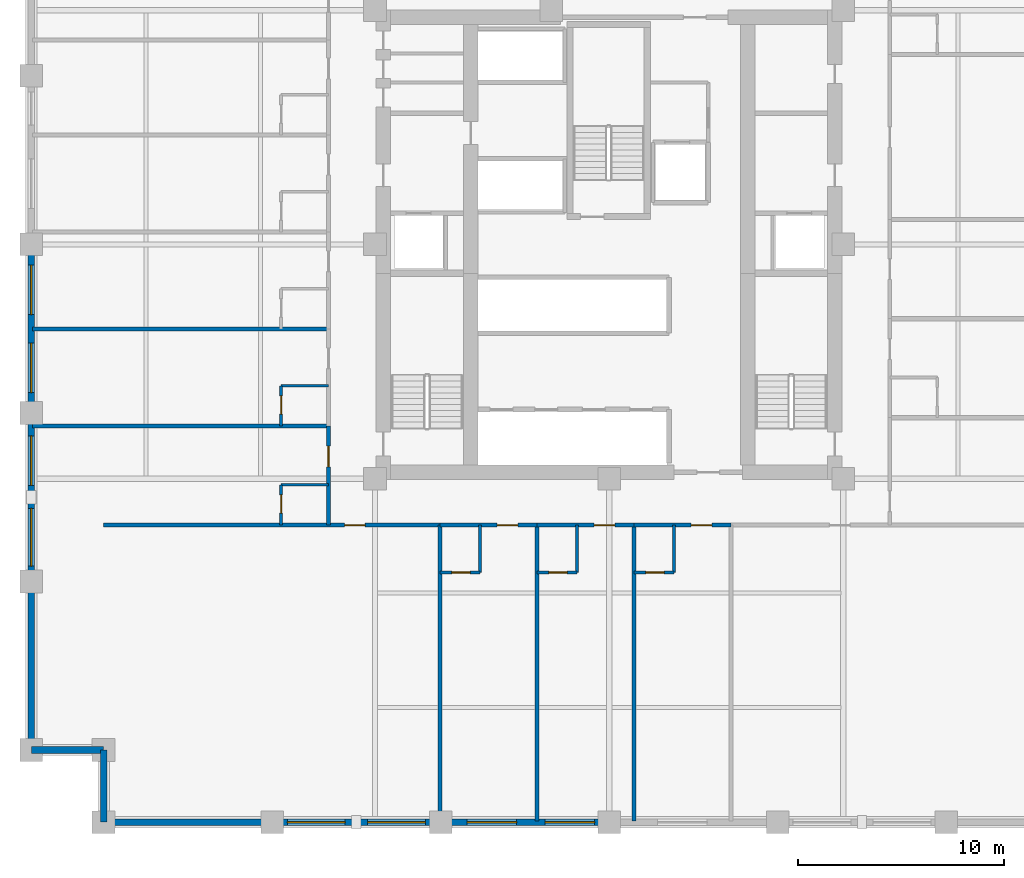
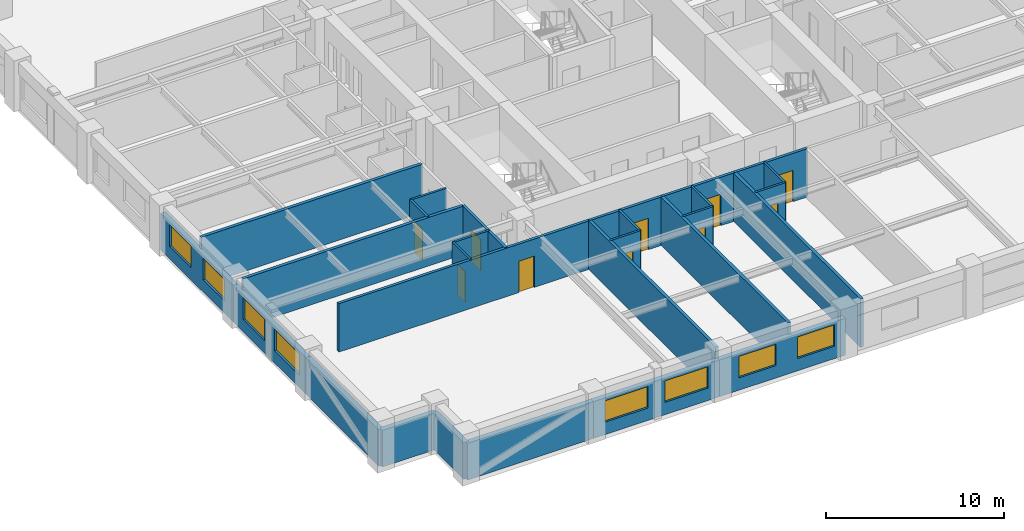
# One storey, part 2 of 8: 28 walls, 10 doors, 8 windows, 18 openings.
"""IFC4 building model written with IfcOpenShell, lengths in metres."""

from ifc_helpers import new_model, si_unit, direction, frame, frame_2d, origin, place, context, subcontext, project, spatial, rectangle, extrude, material, layer, layer_set, type_object, element, fill, save


model = new_model("IFC4")

# Units and contexts
model_context = context("Model", 3, precision=1e-05, world=origin(), true_north=direction((0.0, 1.0)))
body_context = subcontext(model_context, "Body", "Model", "MODEL_VIEW")
ifc_project = project(units=[si_unit("LENGTHUNIT", "METRE"), si_unit("AREAUNIT", "SQUARE_METRE"), si_unit("VOLUMEUNIT", "CUBIC_METRE"), si_unit("PLANEANGLEUNIT", "RADIAN"), si_unit("MASSUNIT", "GRAM", prefix="KILO")], contexts=[model_context])

# Site, building, storey
site_placement = place(None, origin())
site = spatial("IfcSite", under=ifc_project, at=site_placement, CompositionType="ELEMENT")
building_placement = place(site_placement, origin())
building = spatial("IfcBuilding", under=site, at=building_placement, Name="Nhamokura Convention Tower", CompositionType="ELEMENT")
storey_placement = place(building_placement, frame((0.0, 0.0, 42.35009765625)))
storey = spatial("IfcBuildingStorey", under=building, at=storey_placement, Name="L08", CompositionType="ELEMENT", Elevation=42.35009765625)

# Wall
ifc_material_1 = material(Name="Moisture-resistant tile-backer partition", Category="masonry")
ifc_layer_1 = layer(ifc_material_1, 0.139892578125)
ifc_layer_set_1 = layer_set([ifc_layer_1], Name="BathroomWetWall_140")
wall_type_1 = type_object("IfcWallType", Name="BathroomWetWall_140", PredefinedType="STANDARD", material=ifc_layer_set_1)
wall_1_placement = place(storey_placement, frame((25.75, 16.10009765625, 0.0), z_axis=(0.0, 0.0, 1.0), x_axis=(0.0, 1.0, 0.0)))
element("IfcWall", 1, at=wall_1_placement, inside=storey, type_object=wall_type_1, Name="L08 Wall INT-L08-BW-S01E", PredefinedType="STANDARD", context=body_context, shape_type="SweptSolid", body=[
    extrude(rectangle(XDim=2.2998046875, YDim=0.139892578125, at=frame_2d((1.14990234375, 0.0))), origin(), (0.0, 0.0, 1.0), 3.31982421875),
])

# Wall, opening, door
wall_2_placement = place(storey_placement, frame((23.800048828125, 16.10009765625, 0.0), z_axis=(0.0, 0.0, 1.0), x_axis=(1.0, 0.0, 0.0)))
wall_2 = element("IfcWall", 2, at=wall_2_placement, inside=storey, type_object=wall_type_1, Name="L08 Wall INT-L08-BW-S01S", PredefinedType="STANDARD", context=body_context, shape_type="SweptSolid", body=[
    extrude(rectangle(XDim=1.949951171875, YDim=0.139892578125, at=frame_2d((0.97509765625, 0.0))), origin(), (0.0, 0.0, 1.0), 3.31982421875),
])
opening_1_placement = place(wall_2_placement, frame((0.580078125, 0.0, 0.0)))
opening_1 = element("IfcOpeningElement", 3, at=opening_1_placement, cuts=wall_2, Name="Opening D-11", PredefinedType="OPENING", context=body_context, shape_type="SweptSolid", body=[
    extrude(rectangle(XDim=0.8798828125, YDim=2.10009765625, at=frame_2d((0.43994140625, 1.050048828125))), frame((0.0, 0.079833984375, 0.0), z_axis=(0.0, -1.0, 0.0), x_axis=(1.0, 0.0, 0.0)), (0.0, 0.0, 1.0), 0.159912109375),
])
ifc_material_2 = material(Name="Solid oak hardwood", Category="wood")
door_type_1 = type_object("IfcDoorType", Name="BathroomDoor_880", OperationType="NOTDEFINED", PredefinedType="DOOR", material=ifc_material_2)
door_1_placement = place(opening_1_placement, origin())
door_1 = element("IfcDoor", 4, at=door_1_placement, inside=storey, type_object=door_type_1, Name="L08 Guest Room En-suite Door", OperationType="SINGLE_SWING_LEFT", OverallHeight=2.10009765625, OverallWidth=0.8798828125, PredefinedType="DOOR", context=body_context, shape_type="SweptSolid", body=[
    extrude(rectangle(XDim=0.8798828125, YDim=2.10009765625, at=frame_2d((0.43994140625, 1.050048828125))), frame((0.0, 0.02490234375, 0.0), z_axis=(0.0, -1.0, 0.0), x_axis=(1.0, 0.0, 0.0)), (0.0, 0.0, 1.0), 0.050048828125),
])
fill(opening_1, door_1)

# Wall
wall_3_placement = place(storey_placement, frame((30.449951171875, 16.10009765625, 0.0), z_axis=(0.0, 0.0, 1.0), x_axis=(0.0, 1.0, 0.0)))
element("IfcWall", 5, at=wall_3_placement, inside=storey, type_object=wall_type_1, Name="L08 Wall INT-L08-BW-S02E", PredefinedType="STANDARD", context=body_context, shape_type="SweptSolid", body=[
    extrude(rectangle(XDim=2.2998046875, YDim=0.139892578125, at=frame_2d((1.14990234375, 0.0))), origin(), (0.0, 0.0, 1.0), 3.31982421875),
])

# Wall, opening, door
wall_4_placement = place(storey_placement, frame((28.5, 16.10009765625, 0.0), z_axis=(0.0, 0.0, 1.0), x_axis=(1.0, 0.0, 0.0)))
wall_4 = element("IfcWall", 6, at=wall_4_placement, inside=storey, type_object=wall_type_1, Name="L08 Wall INT-L08-BW-S02S", PredefinedType="STANDARD", context=body_context, shape_type="SweptSolid", body=[
    extrude(rectangle(XDim=1.949951171875, YDim=0.139892578125, at=frame_2d((0.97509765625, 0.0))), origin(), (0.0, 0.0, 1.0), 3.31982421875),
])
opening_2_placement = place(wall_4_placement, frame((0.580078125, 0.0, 0.0)))
opening_2 = element("IfcOpeningElement", 7, at=opening_2_placement, cuts=wall_4, Name="Opening D-11", PredefinedType="OPENING", context=body_context, shape_type="SweptSolid", body=[
    extrude(rectangle(XDim=0.8798828125, YDim=2.10009765625, at=frame_2d((0.43994140625, 1.050048828125))), frame((0.0, 0.079833984375, 0.0), z_axis=(0.0, -1.0, 0.0), x_axis=(1.0, 0.0, 0.0)), (0.0, 0.0, 1.0), 0.159912109375),
])
door_2_placement = place(opening_2_placement, origin())
door_2 = element("IfcDoor", 8, at=door_2_placement, inside=storey, type_object=door_type_1, Name="L08 Corner Suite En-suite Door", OperationType="SINGLE_SWING_LEFT", OverallHeight=2.10009765625, OverallWidth=0.8798828125, PredefinedType="DOOR", context=body_context, shape_type="SweptSolid", body=[
    extrude(rectangle(XDim=0.8798828125, YDim=2.10009765625, at=frame_2d((0.43994140625, 1.050048828125))), frame((0.0, 0.02490234375, 0.0), z_axis=(0.0, -1.0, 0.0), x_axis=(1.0, 0.0, 0.0)), (0.0, 0.0, 1.0), 0.050048828125),
])
fill(opening_2, door_2)

# Wall
wall_5_placement = place(storey_placement, frame((35.14990234375, 16.10009765625, 0.0), z_axis=(0.0, 0.0, 1.0), x_axis=(0.0, 1.0, 0.0)))
element("IfcWall", 9, at=wall_5_placement, inside=storey, type_object=wall_type_1, Name="L08 Wall INT-L08-BW-S03E", PredefinedType="STANDARD", context=body_context, shape_type="SweptSolid", body=[
    extrude(rectangle(XDim=2.2998046875, YDim=0.139892578125, at=frame_2d((1.14990234375, 0.0))), origin(), (0.0, 0.0, 1.0), 3.31982421875),
])

# Wall, opening, door
wall_6_placement = place(storey_placement, frame((33.199951171875, 16.10009765625, 0.0), z_axis=(0.0, 0.0, 1.0), x_axis=(1.0, 0.0, 0.0)))
wall_6 = element("IfcWall", 10, at=wall_6_placement, inside=storey, type_object=wall_type_1, Name="L08 Wall INT-L08-BW-S03S", PredefinedType="STANDARD", context=body_context, shape_type="SweptSolid", body=[
    extrude(rectangle(XDim=1.949951171875, YDim=0.139892578125, at=frame_2d((0.97509765625, 0.0))), origin(), (0.0, 0.0, 1.0), 3.31982421875),
])
opening_3_placement = place(wall_6_placement, frame((0.580078125, 0.0, 0.0)))
opening_3 = element("IfcOpeningElement", 11, at=opening_3_placement, cuts=wall_6, Name="Opening D-11", PredefinedType="OPENING", context=body_context, shape_type="SweptSolid", body=[
    extrude(rectangle(XDim=0.8798828125, YDim=2.10009765625, at=frame_2d((0.43994140625, 1.050048828125))), frame((0.0, 0.079833984375, 0.0), z_axis=(0.0, -1.0, 0.0), x_axis=(1.0, 0.0, 0.0)), (0.0, 0.0, 1.0), 0.159912109375),
])
door_3_placement = place(opening_3_placement, origin())
door_3 = element("IfcDoor", 12, at=door_3_placement, inside=storey, type_object=door_type_1, Name="L08 Guest Room En-suite Door", OperationType="SINGLE_SWING_LEFT", OverallHeight=2.10009765625, OverallWidth=0.8798828125, PredefinedType="DOOR", context=body_context, shape_type="SweptSolid", body=[
    extrude(rectangle(XDim=0.8798828125, YDim=2.10009765625, at=frame_2d((0.43994140625, 1.050048828125))), frame((0.0, 0.02490234375, 0.0), z_axis=(0.0, -1.0, 0.0), x_axis=(1.0, 0.0, 0.0)), (0.0, 0.0, 1.0), 0.050048828125),
])
fill(opening_3, door_3)

# Wall
wall_7_placement = place(storey_placement, frame((16.10009765625, 20.35009765625, 0.0), z_axis=(0.0, 0.0, 1.0), x_axis=(1.0, 0.0, 0.0)))
element("IfcWall", 13, at=wall_7_placement, inside=storey, type_object=wall_type_1, Name="L08 Wall INT-L08-BW-W00N", PredefinedType="STANDARD", context=body_context, shape_type="SweptSolid", body=[
    extrude(rectangle(XDim=2.2998046875, YDim=0.139892578125, at=frame_2d((1.14990234375, 0.0))), origin(), (0.0, 0.0, 1.0), 3.31982421875),
])

# Wall, opening, door
wall_8_placement = place(storey_placement, frame((16.10009765625, 18.39990234375, 0.0), z_axis=(0.0, 0.0, 1.0), x_axis=(0.0, 1.0, 0.0)))
wall_8 = element("IfcWall", 14, at=wall_8_placement, inside=storey, type_object=wall_type_1, Name="L08 Wall INT-L08-BW-W00W", PredefinedType="STANDARD", context=body_context, shape_type="SweptSolid", body=[
    extrude(rectangle(XDim=1.9501953125, YDim=0.139892578125, at=frame_2d((0.97509765625, 0.0))), origin(), (0.0, 0.0, 1.0), 3.31982421875),
])
opening_4_placement = place(wall_8_placement, frame((0.580078125, 0.0, 0.0)))
opening_4 = element("IfcOpeningElement", 15, at=opening_4_placement, cuts=wall_8, Name="Opening D-11", PredefinedType="OPENING", context=body_context, shape_type="SweptSolid", body=[
    extrude(rectangle(XDim=0.8798828125, YDim=2.10009765625, at=frame_2d((0.43994140625, 1.050048828125))), frame((0.0, 0.079833984375, 0.0), z_axis=(0.0, -1.0, 0.0), x_axis=(1.0, 0.0, 0.0)), (0.0, 0.0, 1.0), 0.159912109375),
])
door_4_placement = place(opening_4_placement, origin())
door_4 = element("IfcDoor", 16, at=door_4_placement, inside=storey, type_object=door_type_1, Name="L08 Guest Room En-suite Door", OperationType="SINGLE_SWING_RIGHT", OverallHeight=2.10009765625, OverallWidth=0.8798828125, PredefinedType="DOOR", context=body_context, shape_type="SweptSolid", body=[
    extrude(rectangle(XDim=0.8798828125, YDim=2.10009765625, at=frame_2d((0.43994140625, 1.050048828125))), frame((0.0, 0.02490234375, 0.0), z_axis=(0.0, -1.0, 0.0), x_axis=(1.0, 0.0, 0.0)), (0.0, 0.0, 1.0), 0.050048828125),
])
fill(opening_4, door_4)

# Wall
wall_9_placement = place(storey_placement, frame((16.10009765625, 25.14990234375, 0.0), z_axis=(0.0, 0.0, 1.0), x_axis=(1.0, 0.0, 0.0)))
element("IfcWall", 17, at=wall_9_placement, inside=storey, type_object=wall_type_1, Name="L08 Wall INT-L08-BW-W01N", PredefinedType="STANDARD", context=body_context, shape_type="SweptSolid", body=[
    extrude(rectangle(XDim=2.2998046875, YDim=0.139892578125, at=frame_2d((1.14990234375, 0.0))), origin(), (0.0, 0.0, 1.0), 3.31982421875),
])

# Wall, opening, door
wall_10_placement = place(storey_placement, frame((16.10009765625, 23.199951171875, 0.0), z_axis=(0.0, 0.0, 1.0), x_axis=(0.0, 1.0, 0.0)))
wall_10 = element("IfcWall", 18, at=wall_10_placement, inside=storey, type_object=wall_type_1, Name="L08 Wall INT-L08-BW-W01W", PredefinedType="STANDARD", context=body_context, shape_type="SweptSolid", body=[
    extrude(rectangle(XDim=1.949951171875, YDim=0.139892578125, at=frame_2d((0.97509765625, 0.0))), origin(), (0.0, 0.0, 1.0), 3.31982421875),
])
opening_5_placement = place(wall_10_placement, frame((0.580078125, 0.0, 0.0)))
opening_5 = element("IfcOpeningElement", 19, at=opening_5_placement, cuts=wall_10, Name="Opening D-11", PredefinedType="OPENING", context=body_context, shape_type="SweptSolid", body=[
    extrude(rectangle(XDim=0.8798828125, YDim=2.10009765625, at=frame_2d((0.43994140625, 1.050048828125))), frame((0.0, 0.079833984375, 0.0), z_axis=(0.0, -1.0, 0.0), x_axis=(1.0, 0.0, 0.0)), (0.0, 0.0, 1.0), 0.159912109375),
])
door_5_placement = place(opening_5_placement, origin())
door_5 = element("IfcDoor", 20, at=door_5_placement, inside=storey, type_object=door_type_1, Name="L08 Club Room En-suite Door", OperationType="SINGLE_SWING_RIGHT", OverallHeight=2.10009765625, OverallWidth=0.8798828125, PredefinedType="DOOR", context=body_context, shape_type="SweptSolid", body=[
    extrude(rectangle(XDim=0.8798828125, YDim=2.10009765625, at=frame_2d((0.43994140625, 1.050048828125))), frame((0.0, 0.02490234375, 0.0), z_axis=(0.0, -1.0, 0.0), x_axis=(1.0, 0.0, 0.0)), (0.0, 0.0, 1.0), 0.050048828125),
])
fill(opening_5, door_5)

# Wall
ifc_material_3 = material(Name="Bronze-pigmented precast concrete C45/55", Category="concrete")
ifc_layer_2 = layer(ifc_material_3, 0.320068359375)
ifc_layer_set_2 = layer_set([ifc_layer_2], Name="BronzePrecastSpandrel_320")
wall_type_2 = type_object("IfcWallType", Name="BronzePrecastSpandrel_320", PredefinedType="USERDEFINED", material=ifc_layer_set_2)
wall_11_placement = place(storey_placement, frame((15.666748046875, 4.0, 0.0), z_axis=(0.0, 0.0, 1.0), x_axis=(-1.0, 0.0, 0.0)))
element("IfcWall", 21, at=wall_11_placement, inside=storey, type_object=wall_type_2, Name="L08 Braced-Bay Precast Wall SOUTH 0", ObjectType="SPANDREL_WALL", PredefinedType="USERDEFINED", context=body_context, shape_type="SweptSolid", body=[
    extrude(rectangle(XDim=8.166748046875, YDim=0.320068359375, at=frame_2d((4.08349609375, 0.0))), origin(), (0.0, 0.0, 1.0), 2.52001953125),
])

# Wall, openings, windows
wall_12_placement = place(storey_placement, frame((23.833251953125, 4.0, 0.0), z_axis=(0.0, 0.0, 1.0), x_axis=(-1.0, 0.0, 0.0)))
wall_12 = element("IfcWall", 22, at=wall_12_placement, inside=storey, type_object=wall_type_2, Name="L08 Masonry-Frame Wall SOUTH 1", ObjectType="SPANDREL_WALL", PredefinedType="USERDEFINED", context=body_context, shape_type="SweptSolid", body=[
    extrude(rectangle(XDim=8.16650390625, YDim=0.320068359375, at=frame_2d((4.083251953125, 0.0))), origin(), (0.0, 0.0, 1.0), 2.52001953125),
])
opening_6_placement = place(wall_12_placement, frame((0.74169921875, 0.0, 0.85009765625)))
opening_6 = element("IfcOpeningElement", 23, at=opening_6_placement, cuts=wall_12, Name="Opening W-04", PredefinedType="OPENING", context=body_context, shape_type="SweptSolid", body=[
    extrude(rectangle(XDim=2.800048828125, YDim=1.469970703125, at=frame_2d((1.39990234375, 0.73486328125))), frame((0.0, 0.169921875, 0.0), z_axis=(0.0, -1.0, 0.0), x_axis=(1.0, 0.0, 0.0)), (0.0, 0.0, 1.0), 0.340087890625),
])
opening_7_placement = place(wall_12_placement, frame((4.625, 0.0, 0.85009765625)))
opening_7 = element("IfcOpeningElement", 24, at=opening_7_placement, cuts=wall_12, Name="Opening W-04", PredefinedType="OPENING", context=body_context, shape_type="SweptSolid", body=[
    extrude(rectangle(XDim=2.800048828125, YDim=1.469970703125, at=frame_2d((1.39990234375, 0.73486328125))), frame((0.0, 0.169921875, 0.0), z_axis=(0.0, -1.0, 0.0), x_axis=(1.0, 0.0, 0.0)), (0.0, 0.0, 1.0), 0.340087890625),
])
ifc_material_4 = material(Name="Solar-control bronze low-E double glass", Category="glass")
window_type_1 = type_object("IfcWindowType", Name="HotelSuiteWindow_2800", PartitioningType="DOUBLE_PANEL_VERTICAL", PredefinedType="WINDOW", material=ifc_material_4)
window_1_placement = place(opening_6_placement, origin())
window_1 = element("IfcWindow", 25, at=window_1_placement, inside=storey, type_object=window_type_1, Name="L08 Facade Window SOUTH 1-1", OverallHeight=1.469970703125, OverallWidth=2.800048828125, PartitioningType="SINGLE_PANEL", PredefinedType="WINDOW", context=body_context, shape_type="SweptSolid", body=[
    extrude(rectangle(XDim=2.800048828125, YDim=1.469970703125, at=frame_2d((1.39990234375, 0.73486328125))), frame((0.0, 0.030029296875, 0.0), z_axis=(0.0, -1.0, 0.0), x_axis=(1.0, 0.0, 0.0)), (0.0, 0.0, 1.0), 0.06005859375),
])
fill(opening_6, window_1)
window_2_placement = place(opening_7_placement, origin())
window_2 = element("IfcWindow", 26, at=window_2_placement, inside=storey, type_object=window_type_1, Name="L08 Facade Window SOUTH 1-2", OverallHeight=1.469970703125, OverallWidth=2.800048828125, PartitioningType="SINGLE_PANEL", PredefinedType="WINDOW", context=body_context, shape_type="SweptSolid", body=[
    extrude(rectangle(XDim=2.800048828125, YDim=1.469970703125, at=frame_2d((1.39990234375, 0.73486328125))), frame((0.0, 0.030029296875, 0.0), z_axis=(0.0, -1.0, 0.0), x_axis=(1.0, 0.0, 0.0)), (0.0, 0.0, 1.0), 0.06005859375),
])
fill(opening_7, window_2)

wall_13_placement = place(storey_placement, frame((32.0, 4.0, 0.0), z_axis=(0.0, 0.0, 1.0), x_axis=(-1.0, 0.0, 0.0)))
wall_13 = element("IfcWall", 27, at=wall_13_placement, inside=storey, type_object=wall_type_2, Name="L08 Masonry-Frame Wall SOUTH 2", ObjectType="SPANDREL_WALL", PredefinedType="USERDEFINED", context=body_context, shape_type="SweptSolid", body=[
    extrude(rectangle(XDim=8.166748046875, YDim=0.320068359375, at=frame_2d((4.08349609375, 0.0))), origin(), (0.0, 0.0, 1.0), 2.52001953125),
])
opening_8_placement = place(wall_13_placement, frame((0.699951171875, 0.0, 0.85009765625)))
opening_8 = element("IfcOpeningElement", 28, at=opening_8_placement, cuts=wall_13, Name="Opening W-03", PredefinedType="OPENING", context=body_context, shape_type="SweptSolid", body=[
    extrude(rectangle(XDim=2.39990234375, YDim=1.469970703125, at=frame_2d((1.199951171875, 0.73486328125))), frame((0.0, 0.169921875, 0.0), z_axis=(0.0, -1.0, 0.0), x_axis=(1.0, 0.0, 0.0)), (0.0, 0.0, 1.0), 0.340087890625),
])
opening_9_placement = place(wall_13_placement, frame((4.4833984375, 0.0, 0.85009765625)))
opening_9 = element("IfcOpeningElement", 29, at=opening_9_placement, cuts=wall_13, Name="Opening W-03", PredefinedType="OPENING", context=body_context, shape_type="SweptSolid", body=[
    extrude(rectangle(XDim=2.39990234375, YDim=1.469970703125, at=frame_2d((1.199951171875, 0.73486328125))), frame((0.0, 0.169921875, 0.0), z_axis=(0.0, -1.0, 0.0), x_axis=(1.0, 0.0, 0.0)), (0.0, 0.0, 1.0), 0.340087890625),
])
ifc_material_5 = material(Name="Solar-control bronze low-E double glass", Category="glass")
window_type_2 = type_object("IfcWindowType", Name="HotelBayWindow_2400", PartitioningType="DOUBLE_PANEL_VERTICAL", PredefinedType="WINDOW", material=ifc_material_5)
window_3_placement = place(opening_8_placement, origin())
window_3 = element("IfcWindow", 30, at=window_3_placement, inside=storey, type_object=window_type_2, Name="L08 Facade Window SOUTH 2-1", OverallHeight=1.469970703125, OverallWidth=2.39990234375, PartitioningType="SINGLE_PANEL", PredefinedType="WINDOW", context=body_context, shape_type="SweptSolid", body=[
    extrude(rectangle(XDim=2.39990234375, YDim=1.469970703125, at=frame_2d((1.199951171875, 0.73486328125))), frame((0.0, 0.030029296875, 0.0), z_axis=(0.0, -1.0, 0.0), x_axis=(1.0, 0.0, 0.0)), (0.0, 0.0, 1.0), 0.06005859375),
])
fill(opening_8, window_3)
window_4_placement = place(opening_9_placement, origin())
window_4 = element("IfcWindow", 31, at=window_4_placement, inside=storey, type_object=window_type_2, Name="L08 Facade Window SOUTH 2-2", OverallHeight=1.469970703125, OverallWidth=2.39990234375, PartitioningType="SINGLE_PANEL", PredefinedType="WINDOW", context=body_context, shape_type="SweptSolid", body=[
    extrude(rectangle(XDim=2.39990234375, YDim=1.469970703125, at=frame_2d((1.199951171875, 0.73486328125))), frame((0.0, 0.030029296875, 0.0), z_axis=(0.0, -1.0, 0.0), x_axis=(1.0, 0.0, 0.0)), (0.0, 0.0, 1.0), 0.06005859375),
])
fill(opening_9, window_4)

# Wall
wall_14_placement = place(storey_placement, frame((4.0, 7.5, 0.0), z_axis=(0.0, 0.0, 1.0), x_axis=(0.0, 1.0, 0.0)))
element("IfcWall", 32, at=wall_14_placement, inside=storey, type_object=wall_type_2, Name="L08 Braced-Bay Precast Wall WEST 0", ObjectType="SPANDREL_WALL", PredefinedType="USERDEFINED", context=body_context, shape_type="SweptSolid", body=[
    extrude(rectangle(XDim=8.166748046875, YDim=0.320068359375, at=frame_2d((4.08349609375, 0.0))), origin(), (0.0, 0.0, 1.0), 2.52001953125),
])

# Wall, openings, windows
wall_15_placement = place(storey_placement, frame((4.0, 15.666748046875, 0.0), z_axis=(0.0, 0.0, 1.0), x_axis=(0.0, 1.0, 0.0)))
wall_15 = element("IfcWall", 33, at=wall_15_placement, inside=storey, type_object=wall_type_2, Name="L08 Masonry-Frame Wall WEST 1", ObjectType="SPANDREL_WALL", PredefinedType="USERDEFINED", context=body_context, shape_type="SweptSolid", body=[
    extrude(rectangle(XDim=8.16650390625, YDim=0.320068359375, at=frame_2d((4.083251953125, 0.0))), origin(), (0.0, 0.0, 1.0), 2.52001953125),
])
opening_10_placement = place(wall_15_placement, frame((0.74169921875, 0.0, 0.85009765625)))
opening_10 = element("IfcOpeningElement", 34, at=opening_10_placement, cuts=wall_15, Name="Opening W-04", PredefinedType="OPENING", context=body_context, shape_type="SweptSolid", body=[
    extrude(rectangle(XDim=2.800048828125, YDim=1.469970703125, at=frame_2d((1.39990234375, 0.73486328125))), frame((0.0, 0.169921875, 0.0), z_axis=(0.0, -1.0, 0.0), x_axis=(1.0, 0.0, 0.0)), (0.0, 0.0, 1.0), 0.340087890625),
])
opening_11_placement = place(wall_15_placement, frame((4.658203125, 0.0, 0.85009765625)))
opening_11 = element("IfcOpeningElement", 35, at=opening_11_placement, cuts=wall_15, Name="Opening W-03", PredefinedType="OPENING", context=body_context, shape_type="SweptSolid", body=[
    extrude(rectangle(XDim=2.39990234375, YDim=1.469970703125, at=frame_2d((1.199951171875, 0.73486328125))), frame((0.0, 0.169921875, 0.0), z_axis=(0.0, -1.0, 0.0), x_axis=(1.0, 0.0, 0.0)), (0.0, 0.0, 1.0), 0.340087890625),
])
window_5_placement = place(opening_11_placement, origin())
window_5 = element("IfcWindow", 36, at=window_5_placement, inside=storey, type_object=window_type_2, Name="L08 Facade Window WEST 1-2", OverallHeight=1.469970703125, OverallWidth=2.39990234375, PartitioningType="SINGLE_PANEL", PredefinedType="WINDOW", context=body_context, shape_type="SweptSolid", body=[
    extrude(rectangle(XDim=2.39990234375, YDim=1.469970703125, at=frame_2d((1.199951171875, 0.73486328125))), frame((0.0, 0.030029296875, 0.0), z_axis=(0.0, -1.0, 0.0), x_axis=(1.0, 0.0, 0.0)), (0.0, 0.0, 1.0), 0.06005859375),
])
fill(opening_11, window_5)
window_6_placement = place(opening_10_placement, origin())
window_6 = element("IfcWindow", 37, at=window_6_placement, inside=storey, type_object=window_type_1, Name="L08 Facade Window WEST 1-1", OverallHeight=1.469970703125, OverallWidth=2.800048828125, PartitioningType="SINGLE_PANEL", PredefinedType="WINDOW", context=body_context, shape_type="SweptSolid", body=[
    extrude(rectangle(XDim=2.800048828125, YDim=1.469970703125, at=frame_2d((1.39990234375, 0.73486328125))), frame((0.0, 0.030029296875, 0.0), z_axis=(0.0, -1.0, 0.0), x_axis=(1.0, 0.0, 0.0)), (0.0, 0.0, 1.0), 0.06005859375),
])
fill(opening_10, window_6)

wall_16_placement = place(storey_placement, frame((4.0, 23.833251953125, 0.0), z_axis=(0.0, 0.0, 1.0), x_axis=(0.0, 1.0, 0.0)))
wall_16 = element("IfcWall", 38, at=wall_16_placement, inside=storey, type_object=wall_type_2, Name="L08 Masonry-Frame Wall WEST 2", ObjectType="SPANDREL_WALL", PredefinedType="USERDEFINED", context=body_context, shape_type="SweptSolid", body=[
    extrude(rectangle(XDim=8.166748046875, YDim=0.320068359375, at=frame_2d((4.08349609375, 0.0))), origin(), (0.0, 0.0, 1.0), 2.52001953125),
])
opening_12_placement = place(wall_16_placement, frame((0.9833984375, 0.0, 0.85009765625)))
opening_12 = element("IfcOpeningElement", 39, at=opening_12_placement, cuts=wall_16, Name="Opening W-03", PredefinedType="OPENING", context=body_context, shape_type="SweptSolid", body=[
    extrude(rectangle(XDim=2.39990234375, YDim=1.469970703125, at=frame_2d((1.199951171875, 0.73486328125))), frame((0.0, 0.169921875, 0.0), z_axis=(0.0, -1.0, 0.0), x_axis=(1.0, 0.0, 0.0)), (0.0, 0.0, 1.0), 0.340087890625),
])
opening_13_placement = place(wall_16_placement, frame((4.7666015625, 0.0, 0.85009765625)))
opening_13 = element("IfcOpeningElement", 40, at=opening_13_placement, cuts=wall_16, Name="Opening W-03", PredefinedType="OPENING", context=body_context, shape_type="SweptSolid", body=[
    extrude(rectangle(XDim=2.39990234375, YDim=1.469970703125, at=frame_2d((1.199951171875, 0.73486328125))), frame((0.0, 0.169921875, 0.0), z_axis=(0.0, -1.0, 0.0), x_axis=(1.0, 0.0, 0.0)), (0.0, 0.0, 1.0), 0.340087890625),
])
window_7_placement = place(opening_12_placement, origin())
window_7 = element("IfcWindow", 41, at=window_7_placement, inside=storey, type_object=window_type_2, Name="L08 Facade Window WEST 2-1", OverallHeight=1.469970703125, OverallWidth=2.39990234375, PartitioningType="SINGLE_PANEL", PredefinedType="WINDOW", context=body_context, shape_type="SweptSolid", body=[
    extrude(rectangle(XDim=2.39990234375, YDim=1.469970703125, at=frame_2d((1.199951171875, 0.73486328125))), frame((0.0, 0.030029296875, 0.0), z_axis=(0.0, -1.0, 0.0), x_axis=(1.0, 0.0, 0.0)), (0.0, 0.0, 1.0), 0.06005859375),
])
fill(opening_12, window_7)
window_8_placement = place(opening_13_placement, origin())
window_8 = element("IfcWindow", 42, at=window_8_placement, inside=storey, type_object=window_type_2, Name="L08 Facade Window WEST 2-2", OverallHeight=1.469970703125, OverallWidth=2.39990234375, PartitioningType="SINGLE_PANEL", PredefinedType="WINDOW", context=body_context, shape_type="SweptSolid", body=[
    extrude(rectangle(XDim=2.39990234375, YDim=1.469970703125, at=frame_2d((1.199951171875, 0.73486328125))), frame((0.0, 0.030029296875, 0.0), z_axis=(0.0, -1.0, 0.0), x_axis=(1.0, 0.0, 0.0)), (0.0, 0.0, 1.0), 0.06005859375),
])
fill(opening_13, window_8)

# Walls
for number, where, z_axis, x_axis, name in (
    (43, (7.5, 4.0, 0.0), (0.0, 0.0, 1.0), (0.0, 1.0, 0.0), "L08 Notched Corner Wall SW1"),
    (44, (7.5, 7.5, 0.0), (0.0, 0.0, 1.0), (-1.0, 0.0, 0.0), "L08 Notched Corner Wall SW2"),
):
    element("IfcWall", number, at=place(storey_placement, frame(where, z_axis=z_axis, x_axis=x_axis)), inside=storey, type_object=wall_type_2, Name=name, ObjectType="SPANDREL_WALL", PredefinedType="USERDEFINED", context=body_context, shape_type="SweptSolid", body=[
        extrude(rectangle(XDim=3.5, YDim=0.320068359375, at=frame_2d((1.75, 0.0))), origin(), (0.0, 0.0, 1.0), 2.52001953125),
    ])

# Wall, opening, door
ifc_material_6 = material(Name="Fire-rated gypsum and masonry partition", Category="masonry")
ifc_layer_3 = layer(ifc_material_6, 0.179931640625)
ifc_layer_set_3 = layer_set([ifc_layer_3], Name="CorridorRatedWall_180")
wall_type_3 = type_object("IfcWallType", Name="CorridorRatedWall_180", PredefinedType="STANDARD", material=ifc_layer_set_3)
wall_17_placement = place(storey_placement, frame((7.5, 18.39990234375, 0.0), z_axis=(0.0, 0.0, 1.0), x_axis=(1.0, 0.0, 0.0)))
wall_17 = element("IfcWall", 45, at=wall_17_placement, inside=storey, type_object=wall_type_3, Name="L08 Wall INT-L08-CW-S00", PredefinedType="STANDARD", context=body_context, shape_type="SweptSolid", body=[
    extrude(rectangle(XDim=16.300048828125, YDim=0.179931640625, at=frame_2d((8.14990234375, 0.0))), origin(), (0.0, 0.0, 1.0), 3.31982421875),
])
opening_14_placement = place(wall_17_placement, frame((11.675048828125, 0.0, 0.0)))
opening_14 = element("IfcOpeningElement", 46, at=opening_14_placement, cuts=wall_17, Name="Opening D-07", PredefinedType="OPENING", context=body_context, shape_type="SweptSolid", body=[
    extrude(rectangle(XDim=1.0, YDim=2.14990234375, at=frame_2d((0.5, 1.074951171875))), frame((0.0, 0.099853515625, 0.0), z_axis=(0.0, -1.0, 0.0), x_axis=(1.0, 0.0, 0.0)), (0.0, 0.0, 1.0), 0.199951171875),
])
ifc_material_7 = material(Name="Solid oak hardwood", Category="wood")
door_type_2 = type_object("IfcDoorType", Name="HotelSuiteEntryDoor_1000", OperationType="NOTDEFINED", PredefinedType="DOOR", material=ifc_material_7)
door_6_placement = place(opening_14_placement, origin())
door_6 = element("IfcDoor", 47, at=door_6_placement, inside=storey, type_object=door_type_2, Name="L08 Conference Salon S01 Door", OperationType="SINGLE_SWING_LEFT", OverallHeight=2.14990234375, OverallWidth=1.0, PredefinedType="DOOR", context=body_context, shape_type="SweptSolid", body=[
    extrude(rectangle(XDim=1.0, YDim=2.14990234375, at=frame_2d((0.5, 1.074951171875))), frame((0.0, 0.02490234375, 0.0), z_axis=(0.0, -1.0, 0.0), x_axis=(1.0, 0.0, 0.0)), (0.0, 0.0, 1.0), 0.050048828125),
])
fill(opening_14, door_6)

wall_18_placement = place(storey_placement, frame((23.800048828125, 18.39990234375, 0.0), z_axis=(0.0, 0.0, 1.0), x_axis=(1.0, 0.0, 0.0)))
wall_18 = element("IfcWall", 48, at=wall_18_placement, inside=storey, type_object=wall_type_3, Name="L08 Wall INT-L08-CW-S01", PredefinedType="STANDARD", context=body_context, shape_type="SweptSolid", body=[
    extrude(rectangle(XDim=4.699951171875, YDim=0.179931640625, at=frame_2d((2.35009765625, 0.0))), origin(), (0.0, 0.0, 1.0), 3.31982421875),
])
opening_15_placement = place(wall_18_placement, frame((2.77490234375, 0.0, 0.0)))
opening_15 = element("IfcOpeningElement", 49, at=opening_15_placement, cuts=wall_18, Name="Opening D-07", PredefinedType="OPENING", context=body_context, shape_type="SweptSolid", body=[
    extrude(rectangle(XDim=1.0, YDim=2.14990234375, at=frame_2d((0.5, 1.074951171875))), frame((0.0, 0.099853515625, 0.0), z_axis=(0.0, -1.0, 0.0), x_axis=(1.0, 0.0, 0.0)), (0.0, 0.0, 1.0), 0.199951171875),
])
door_7_placement = place(opening_15_placement, origin())
door_7 = element("IfcDoor", 50, at=door_7_placement, inside=storey, type_object=door_type_2, Name="L08 Guest Room S02 Door", OperationType="SINGLE_SWING_RIGHT", OverallHeight=2.14990234375, OverallWidth=1.0, PredefinedType="DOOR", context=body_context, shape_type="SweptSolid", body=[
    extrude(rectangle(XDim=1.0, YDim=2.14990234375, at=frame_2d((0.5, 1.074951171875))), frame((0.0, 0.02490234375, 0.0), z_axis=(0.0, -1.0, 0.0), x_axis=(1.0, 0.0, 0.0)), (0.0, 0.0, 1.0), 0.050048828125),
])
fill(opening_15, door_7)

wall_19_placement = place(storey_placement, frame((28.5, 18.39990234375, 0.0), z_axis=(0.0, 0.0, 1.0), x_axis=(1.0, 0.0, 0.0)))
wall_19 = element("IfcWall", 51, at=wall_19_placement, inside=storey, type_object=wall_type_3, Name="L08 Wall INT-L08-CW-S02", PredefinedType="STANDARD", context=body_context, shape_type="SweptSolid", body=[
    extrude(rectangle(XDim=4.699951171875, YDim=0.179931640625, at=frame_2d((2.35009765625, 0.0))), origin(), (0.0, 0.0, 1.0), 3.31982421875),
])
opening_16_placement = place(wall_19_placement, frame((2.77490234375, 0.0, 0.0)))
opening_16 = element("IfcOpeningElement", 52, at=opening_16_placement, cuts=wall_19, Name="Opening D-07", PredefinedType="OPENING", context=body_context, shape_type="SweptSolid", body=[
    extrude(rectangle(XDim=1.0, YDim=2.14990234375, at=frame_2d((0.5, 1.074951171875))), frame((0.0, 0.099853515625, 0.0), z_axis=(0.0, -1.0, 0.0), x_axis=(1.0, 0.0, 0.0)), (0.0, 0.0, 1.0), 0.199951171875),
])
door_8_placement = place(opening_16_placement, origin())
door_8 = element("IfcDoor", 53, at=door_8_placement, inside=storey, type_object=door_type_2, Name="L08 Corner Suite S03 Door", OperationType="SINGLE_SWING_LEFT", OverallHeight=2.14990234375, OverallWidth=1.0, PredefinedType="DOOR", context=body_context, shape_type="SweptSolid", body=[
    extrude(rectangle(XDim=1.0, YDim=2.14990234375, at=frame_2d((0.5, 1.074951171875))), frame((0.0, 0.02490234375, 0.0), z_axis=(0.0, -1.0, 0.0), x_axis=(1.0, 0.0, 0.0)), (0.0, 0.0, 1.0), 0.050048828125),
])
fill(opening_16, door_8)

wall_20_placement = place(storey_placement, frame((33.199951171875, 18.39990234375, 0.0), z_axis=(0.0, 0.0, 1.0), x_axis=(1.0, 0.0, 0.0)))
wall_20 = element("IfcWall", 54, at=wall_20_placement, inside=storey, type_object=wall_type_3, Name="L08 Wall INT-L08-CW-S03", PredefinedType="STANDARD", context=body_context, shape_type="SweptSolid", body=[
    extrude(rectangle(XDim=4.699951171875, YDim=0.179931640625, at=frame_2d((2.35009765625, 0.0))), origin(), (0.0, 0.0, 1.0), 3.31982421875),
])
opening_17_placement = place(wall_20_placement, frame((2.77490234375, 0.0, 0.0)))
opening_17 = element("IfcOpeningElement", 55, at=opening_17_placement, cuts=wall_20, Name="Opening D-07", PredefinedType="OPENING", context=body_context, shape_type="SweptSolid", body=[
    extrude(rectangle(XDim=1.0, YDim=2.14990234375, at=frame_2d((0.5, 1.074951171875))), frame((0.0, 0.099853515625, 0.0), z_axis=(0.0, -1.0, 0.0), x_axis=(1.0, 0.0, 0.0)), (0.0, 0.0, 1.0), 0.199951171875),
])
door_9_placement = place(opening_17_placement, origin())
door_9 = element("IfcDoor", 56, at=door_9_placement, inside=storey, type_object=door_type_2, Name="L08 Guest Room S04 Door", OperationType="SINGLE_SWING_RIGHT", OverallHeight=2.14990234375, OverallWidth=1.0, PredefinedType="DOOR", context=body_context, shape_type="SweptSolid", body=[
    extrude(rectangle(XDim=1.0, YDim=2.14990234375, at=frame_2d((0.5, 1.074951171875))), frame((0.0, 0.02490234375, 0.0), z_axis=(0.0, -1.0, 0.0), x_axis=(1.0, 0.0, 0.0)), (0.0, 0.0, 1.0), 0.050048828125),
])
fill(opening_17, door_9)

wall_21_placement = place(storey_placement, frame((18.39990234375, 18.39990234375, 0.0), z_axis=(0.0, 0.0, 1.0), x_axis=(0.0, 1.0, 0.0)))
wall_21 = element("IfcWall", 57, at=wall_21_placement, inside=storey, type_object=wall_type_3, Name="L08 Wall INT-L08-CW-W00", PredefinedType="STANDARD", context=body_context, shape_type="SweptSolid", body=[
    extrude(rectangle(XDim=4.800048828125, YDim=0.179931640625, at=frame_2d((2.39990234375, 0.0))), origin(), (0.0, 0.0, 1.0), 3.31982421875),
])
opening_18_placement = place(wall_21_placement, frame((2.824951171875, 0.0, 0.0)))
opening_18 = element("IfcOpeningElement", 58, at=opening_18_placement, cuts=wall_21, Name="Opening D-07", PredefinedType="OPENING", context=body_context, shape_type="SweptSolid", body=[
    extrude(rectangle(XDim=1.0, YDim=2.14990234375, at=frame_2d((0.5, 1.074951171875))), frame((0.0, 0.099853515625, 0.0), z_axis=(0.0, -1.0, 0.0), x_axis=(1.0, 0.0, 0.0)), (0.0, 0.0, 1.0), 0.199951171875),
])
door_10_placement = place(opening_18_placement, origin())
door_10 = element("IfcDoor", 59, at=door_10_placement, inside=storey, type_object=door_type_2, Name="L08 Guest Room W01 Door", OperationType="SINGLE_SWING_LEFT", OverallHeight=2.14990234375, OverallWidth=1.0, PredefinedType="DOOR", context=body_context, shape_type="SweptSolid", body=[
    extrude(rectangle(XDim=1.0, YDim=2.14990234375, at=frame_2d((0.5, 1.074951171875))), frame((0.0, 0.02490234375, 0.0), z_axis=(0.0, -1.0, 0.0), x_axis=(1.0, 0.0, 0.0)), (0.0, 0.0, 1.0), 0.050048828125),
])
fill(opening_18, door_10)

# Walls
ifc_material_8 = material(Name="Acoustic twin-stud gypsum partition", Category="masonry")
ifc_layer_4 = layer(ifc_material_8, 0.199951171875)
ifc_layer_set_4 = layer_set([ifc_layer_4], Name="HotelDemisingWall_200")
wall_type_4 = type_object("IfcWallType", Name="HotelDemisingWall_200", PredefinedType="STANDARD", material=ifc_layer_set_4)
for number, where, z_axis, x_axis, name in (
    (60, (23.800048828125, 4.06005859375, 0.0), (0.0, 0.0, 1.0), (0.0, 1.0, 0.0), "L08 Wall INT-L08-RW-S01"),
    (61, (28.5, 4.06005859375, 0.0), (0.0, 0.0, 1.0), (0.0, 1.0, 0.0), "L08 Wall INT-L08-RW-S02"),
    (62, (33.199951171875, 4.06005859375, 0.0), (0.0, 0.0, 1.0), (0.0, 1.0, 0.0), "L08 Wall INT-L08-RW-S03"),
    (63, (4.06005859375, 23.199951171875, 0.0), (0.0, 0.0, 1.0), (1.0, 0.0, 0.0), "L08 Wall INT-L08-RW-W01"),
    (64, (4.06005859375, 27.89990234375, 0.0), (0.0, 0.0, 1.0), (1.0, 0.0, 0.0), "L08 Wall INT-L08-RW-W02"),
):
    element("IfcWall", number, at=place(storey_placement, frame(where, z_axis=z_axis, x_axis=x_axis)), inside=storey, type_object=wall_type_4, Name=name, PredefinedType="STANDARD", context=body_context, shape_type="SweptSolid", body=[
        extrude(rectangle(XDim=14.33984375, YDim=0.199951171875, at=frame_2d((7.169921875, 0.0))), origin(), (0.0, 0.0, 1.0), 3.31982421875),
    ])

save(model, "model.ifc")
